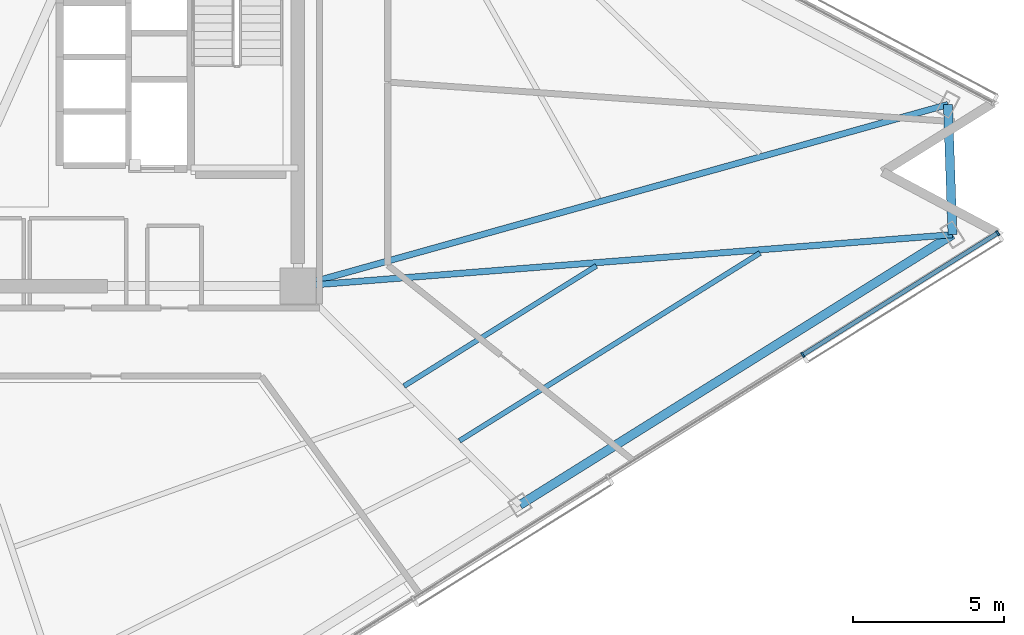
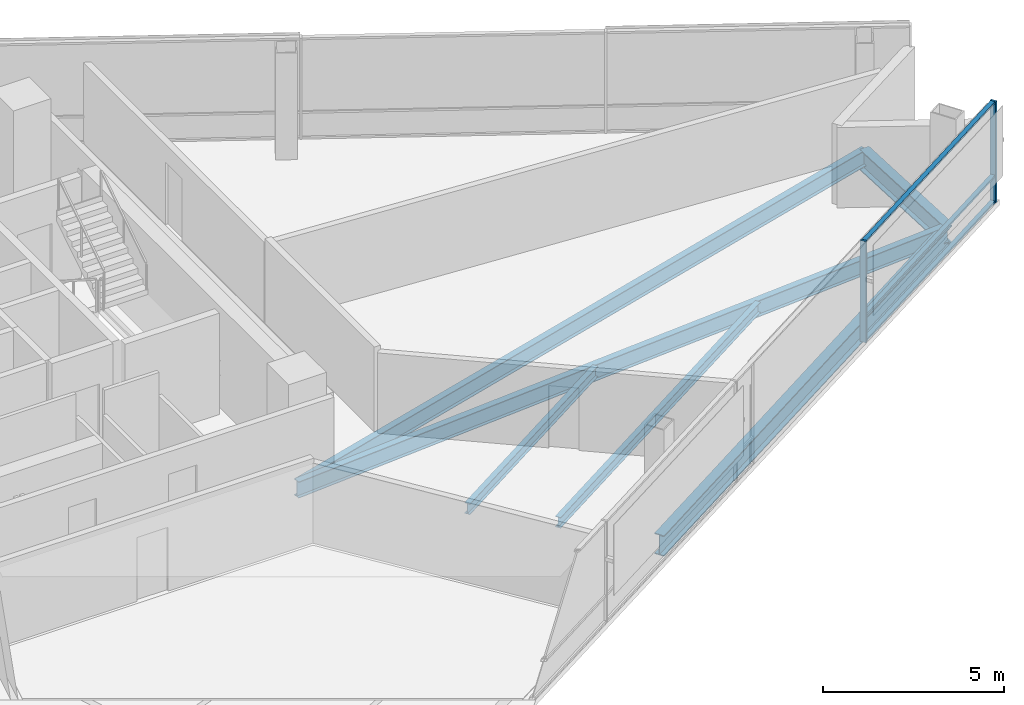
# One storey, part 6 of 21: 6 beams, 5 members, 1 element without a shape of its own.
"""IFC4 building model written with IfcOpenShell, lengths in metres."""

from ifc_helpers import new_model, si_unit, direction, frame, origin, origin_2d, place, context, subcontext, project, spatial, rectangle, i_section, extrude, material, layer, layer_set, material_profile, profile_set, type_object, element, aggregate, save


model = new_model("IFC4")

# Units and contexts
model_context = context("Model", 3, precision=1e-05, world=origin(), true_north=direction((0.0, 1.0)))
body_context = subcontext(model_context, "Body", "Model", "MODEL_VIEW")
ifc_project = project(units=[si_unit("LENGTHUNIT", "METRE"), si_unit("AREAUNIT", "SQUARE_METRE"), si_unit("VOLUMEUNIT", "CUBIC_METRE"), si_unit("PLANEANGLEUNIT", "RADIAN"), si_unit("MASSUNIT", "GRAM", prefix="KILO")], contexts=[model_context])

# Site, building, storey
site_placement = place(None, origin())
site = spatial("IfcSite", under=ifc_project, at=site_placement, CompositionType="ELEMENT")
building_placement = place(site_placement, origin())
building = spatial("IfcBuilding", under=site, at=building_placement, Name="Tharavind Bronze Gate", CompositionType="ELEMENT")
storey_placement = place(building_placement, frame((0.0, 0.0, 156.800048828125)))
storey = spatial("IfcBuildingStorey", under=building, at=storey_placement, Name="L40", CompositionType="ELEMENT", Elevation=156.800048828125)

# Curtain wall, members
ifc_material_1 = material(Name="Anodised Bronze Aluminium", Category="aluminium")
ifc_layer = layer(ifc_material_1, 0.219970703125)
ifc_layer_set = layer_set([ifc_layer], Name="Anodised Bronze Aluminium")
curtain_wall_type = type_object("IfcCurtainWallType", Name="UNITISED CURTAIN WALL MID OFFICE", PredefinedType="USERDEFINED", material=ifc_layer_set)
curtain_wall_placement = place(storey_placement, origin())
curtain_wall = element("IfcCurtainWall", 1, at=curtain_wall_placement, inside=storey, type_object=curtain_wall_type, Name="L40 unitised curtain wall mid office CW-L40-S2", ObjectType="UNITISED CURTAIN WALL", PredefinedType="USERDEFINED")
member_type_1 = type_object("IfcMemberType", Name="CURTAIN WALL BRONZE MULLION 65X180", PredefinedType="MULLION", material=ifc_material_1)
member_1_placement = place(storey_placement, frame((25.649169921875, -9.8798828125, 0.0), z_axis=(0.0, 0.0, 1.0), x_axis=(0.848048096156, 0.529919264233, 0.0)))
member_1 = element("IfcMember", 2, at=member_1_placement, type_object=member_type_1, Name="CW-L40-S2 mullion 7", PredefinedType="MULLION", context=body_context, shape_type="SweptSolid", body=[
    extrude(rectangle(XDim=0.06494140625, YDim=0.179931640625, at=origin_2d()), origin(), (0.0, 0.0, 1.0), 3.409912109375),
])
member_2_placement = place(storey_placement, frame((32.114501953125, -5.83984375, 0.0), z_axis=(0.0, 0.0, 1.0), x_axis=(0.848048096156, 0.529919264233, 0.0)))
member_2 = element("IfcMember", 3, at=member_2_placement, type_object=member_type_1, Name="CW-L40-S2 mullion 8", PredefinedType="MULLION", context=body_context, shape_type="SweptSolid", body=[
    extrude(rectangle(XDim=0.06494140625, YDim=0.179931640625, at=origin_2d()), origin(), (0.0, 0.0, 1.0), 3.409912109375),
])
member_type_2 = type_object("IfcMemberType", Name="CURTAIN WALL BRONZE TRANSOM 65X140", PredefinedType="USERDEFINED", material=ifc_material_1)
member_3_placement = place(storey_placement, frame((28.8818359375, -7.85986328125, 0.0), z_axis=(0.0, 0.0, 1.0), x_axis=(0.848048096156, 0.529919264233, 0.0)))
member_3 = element("IfcMember", 4, at=member_3_placement, type_object=member_type_2, Name="CW-L40-S2 transom TB7", ObjectType="TRANSOM", PredefinedType="USERDEFINED", context=body_context, shape_type="SweptSolid", body=[
    extrude(rectangle(XDim=7.57080078125, YDim=0.139892578125, at=origin_2d()), origin(), (0.0, 0.0, 1.0), 0.06494140625),
])
member_4_placement = place(storey_placement, frame((28.8818359375, -7.85986328125, 0.867431640625), z_axis=(0.0, 0.0, 1.0), x_axis=(0.848048096156, 0.529919264233, 0.0)))
member_4 = element("IfcMember", 5, at=member_4_placement, type_object=member_type_2, Name="CW-L40-S2 transom TS7", ObjectType="TRANSOM", PredefinedType="USERDEFINED", context=body_context, shape_type="SweptSolid", body=[
    extrude(rectangle(XDim=7.57080078125, YDim=0.139892578125, at=origin_2d()), origin(), (0.0, 0.0, 1.0), 0.06494140625),
])
member_5_placement = place(storey_placement, frame((28.8818359375, -7.85986328125, 3.344970703125), z_axis=(0.0, 0.0, 1.0), x_axis=(0.848048096156, 0.529919264233, 0.0)))
member_5 = element("IfcMember", 6, at=member_5_placement, type_object=member_type_2, Name="CW-L40-S2 transom TT7", ObjectType="TRANSOM", PredefinedType="USERDEFINED", context=body_context, shape_type="SweptSolid", body=[
    extrude(rectangle(XDim=7.57080078125, YDim=0.139892578125, at=origin_2d()), origin(), (0.0, 0.0, 1.0), 0.06494140625),
])
aggregate(curtain_wall, [member_1, member_2, member_3, member_4, member_5])

# Beams
ifc_material_2 = material(Name="Steel S355", Category="steel")
ifc_material_profile_1 = material_profile(ifc_material_2, i_section(OverallWidth=0.2099609375, OverallDepth=0.550048828125, WebThickness=0.010986328125, FlangeThickness=0.01708984375, at=origin_2d()), Name="IPE550")
ifc_profile_set_1 = profile_set([ifc_material_profile_1], Name="Steel S355")
beam_type_1 = type_object("IfcBeamType", Name="PRIMARY GIRDER IPE550", PredefinedType="USERDEFINED", material=ifc_profile_set_1)
beam_1_placement = place(storey_placement, frame((30.615478515625, -5.89208984375, -0.465087890625), z_axis=(-0.996921085332, -0.07841141256, 0.0), x_axis=(0.07841141256, -0.996921085332, 0.0)))
element("IfcBeam", 7, at=beam_1_placement, inside=storey, type_object=beam_type_1, Name="L40 primary girder ipe550 BM-L40-RAD08", ObjectType="GIRDER", PredefinedType="USERDEFINED", context=body_context, shape_type="SweptSolid", body=[
    extrude(i_section(OverallWidth=0.2099609375, OverallDepth=0.550048828125, WebThickness=0.010986328125, FlangeThickness=0.01708984375, at=origin_2d()), origin(), (0.0, 0.0, 1.0), 21.78271484375),
])
beam_2_placement = place(storey_placement, frame((30.46484375, -1.57470703125, -0.465087890625), z_axis=(-0.96311222074, -0.269100074809, 0.0), x_axis=(0.269100074809, -0.96311222074, 0.0)))
element("IfcBeam", 8, at=beam_2_placement, inside=storey, type_object=beam_type_1, Name="L40 primary girder ipe550 BM-L40-RAD09", ObjectType="GIRDER", PredefinedType="USERDEFINED", context=body_context, shape_type="SweptSolid", body=[
    extrude(i_section(OverallWidth=0.2099609375, OverallDepth=0.550048828125, WebThickness=0.010986328125, FlangeThickness=0.01708984375, at=origin_2d()), origin(), (0.0, 0.0, 1.0), 22.390869140625),
])
ifc_material_profile_2 = material_profile(ifc_material_2, i_section(OverallWidth=0.300048828125, OverallDepth=0.699951171875, WebThickness=0.01708984375, FlangeThickness=0.031982421875, at=origin_2d()), Name="HE700B")
ifc_profile_set_2 = profile_set([ifc_material_profile_2], Name="Steel S355")
beam_type_2 = type_object("IfcBeamType", Name="RING GIRDER HE700B", PredefinedType="USERDEFINED", material=ifc_profile_set_2)
beam_3_placement = place(storey_placement, frame((16.263916015625, -14.860107421875, -0.5400390625), z_axis=(0.84804368744, 0.529926319589, 0.0), x_axis=(-0.529926319589, 0.84804368744, 0.0)))
element("IfcBeam", 9, at=beam_3_placement, inside=storey, type_object=beam_type_2, Name="L40 ring girder he700b BM-L40-PRG07", ObjectType="GIRDER", PredefinedType="USERDEFINED", context=body_context, shape_type="SweptSolid", body=[
    extrude(i_section(OverallWidth=0.300048828125, OverallDepth=0.699951171875, WebThickness=0.01708984375, FlangeThickness=0.031982421875, at=origin_2d()), origin(), (0.0, 0.0, 1.0), 16.923095703125),
])
beam_4_placement = place(storey_placement, frame((30.615478515625, -5.89208984375, -0.5400390625), z_axis=(-0.034869079132, 0.999391888761, 0.0), x_axis=(-0.999391888761, -0.034869079132, 0.0)))
element("IfcBeam", 10, at=beam_4_placement, inside=storey, type_object=beam_type_2, Name="L40 ring girder he700b BM-L40-PRG08", ObjectType="GIRDER", PredefinedType="USERDEFINED", context=body_context, shape_type="SweptSolid", body=[
    extrude(i_section(OverallWidth=0.300048828125, OverallDepth=0.699951171875, WebThickness=0.01708984375, FlangeThickness=0.031982421875, at=origin_2d()), origin(), (0.0, 0.0, 1.0), 4.320068359375),
])
ifc_material_profile_3 = material_profile(ifc_material_2, i_section(OverallWidth=0.169921875, OverallDepth=0.360107421875, WebThickness=0.008056640625, FlangeThickness=0.0126953125, at=origin_2d()), Name="IPE360")
ifc_profile_set_3 = profile_set([ifc_material_profile_3], Name="Steel S355")
beam_type_3 = type_object("IfcBeamType", Name="SECONDARY FLOOR JOIST IPE360", PredefinedType="JOIST", material=ifc_profile_set_3)
beam_5_placement = place(storey_placement, frame((12.419189453125, -10.91650390625, -0.3701171875), z_axis=(0.848052974069, 0.529911457862, 0.0), x_axis=(-0.529911457862, 0.848052974069, 0.0)))
element("IfcBeam", 11, at=beam_5_placement, inside=storey, type_object=beam_type_3, Name="L40 secondary floor joist ipe360 BM-L40-JSTA07", PredefinedType="JOIST", context=body_context, shape_type="SweptSolid", body=[
    extrude(i_section(OverallWidth=0.169921875, OverallDepth=0.360107421875, WebThickness=0.008056640625, FlangeThickness=0.0126953125, at=origin_2d()), origin(), (0.0, 0.0, 1.0), 7.52587890625),
])
beam_6_placement = place(storey_placement, frame((14.260009765625, -12.731689453125, -0.3701171875), z_axis=(0.848048464422, 0.529918674884, 0.0), x_axis=(-0.529918674884, 0.848048464422, 0.0)))
element("IfcBeam", 12, at=beam_6_placement, inside=storey, type_object=beam_type_3, Name="L40 secondary floor joist ipe360 BM-L40-JSTB07", PredefinedType="JOIST", context=body_context, shape_type="SweptSolid", body=[
    extrude(i_section(OverallWidth=0.169921875, OverallDepth=0.360107421875, WebThickness=0.008056640625, FlangeThickness=0.0126953125, at=origin_2d()), origin(), (0.0, 0.0, 1.0), 11.7568359375),
])

save(model, "model.ifc")
